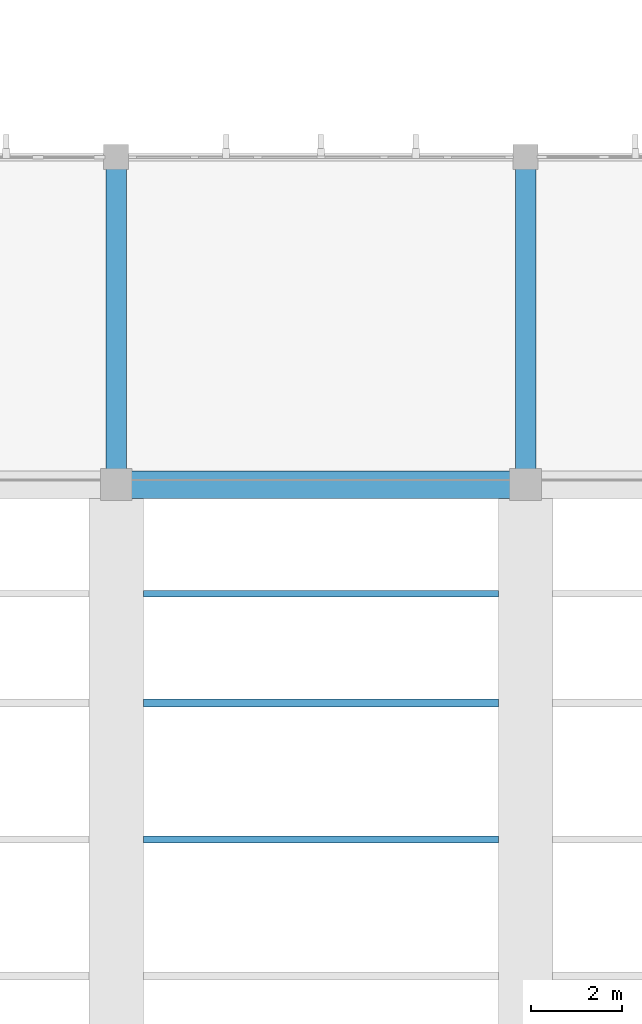
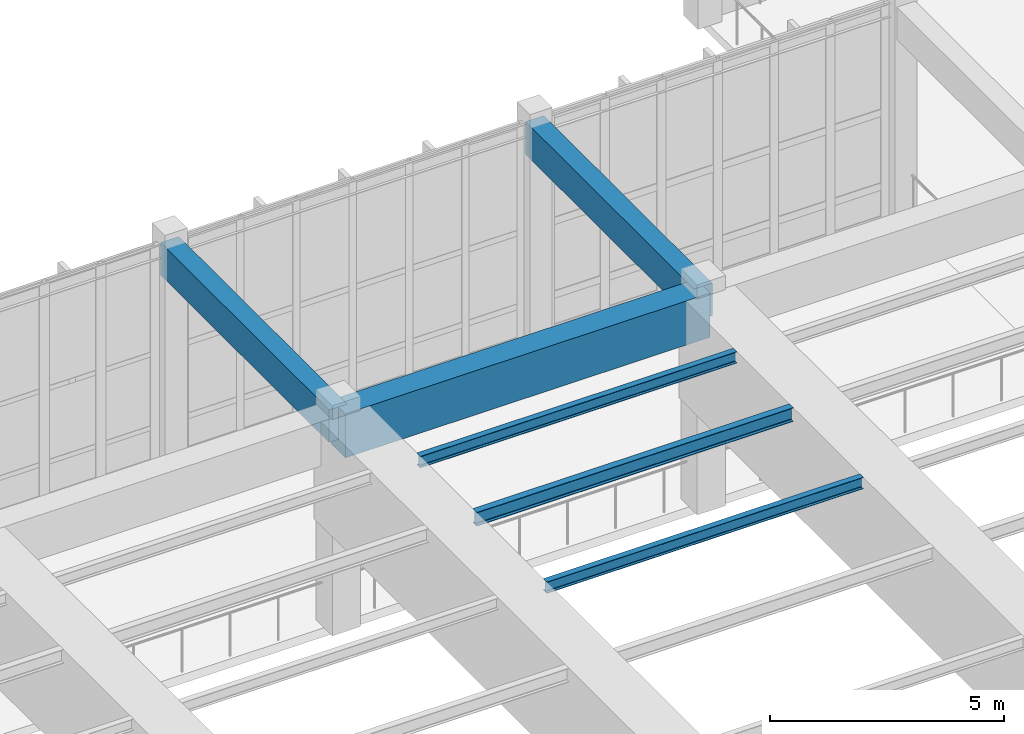
# One storey, part 41 of 105: 6 beams.
"""IFC4 building model written with IfcOpenShell, lengths in metres."""

from ifc_helpers import new_model, si_unit, direction, frame, origin, origin_2d, place, context, subcontext, project, spatial, rectangle, i_section, extrude, material, material_profile, profile_set, type_object, element, save


model = new_model("IFC4")

# Units and contexts
model_context = context("Model", 3, precision=1e-05, world=origin(), true_north=direction((0.0, 1.0)))
body_context = subcontext(model_context, "Body", "Model", "MODEL_VIEW")
ifc_project = project(units=[si_unit("LENGTHUNIT", "METRE"), si_unit("AREAUNIT", "SQUARE_METRE"), si_unit("VOLUMEUNIT", "CUBIC_METRE"), si_unit("PLANEANGLEUNIT", "RADIAN"), si_unit("MASSUNIT", "GRAM", prefix="KILO")], contexts=[model_context])

# Site, building, storey
site_placement = place(None, origin())
site = spatial("IfcSite", under=ifc_project, at=site_placement, CompositionType="ELEMENT")
building_placement = place(site_placement, origin())
building = spatial("IfcBuilding", under=site, at=building_placement, Name="Tizgana Railside Sports Hall", CompositionType="ELEMENT")
storey_placement = place(building_placement, frame((0.0, 0.0, 6.0)))
storey = spatial("IfcBuildingStorey", under=building, at=storey_placement, Name="L01", CompositionType="ELEMENT", Elevation=6.0)

# Beams
ifc_material_1 = material(Name="Concrete C40/50", Category="concrete")
ifc_material_profile_1 = material_profile(ifc_material_1, rectangle(XDim=0.449951171875, YDim=0.85009765625, at=origin_2d()), Name="RCB 450x850")
ifc_profile_set_1 = profile_set([ifc_material_profile_1], Name="Concrete C40/50")
beam_type_1 = type_object("IfcBeamType", Name="Concrete Beam RCB 450x850", PredefinedType="BEAM", material=ifc_profile_set_1)
for number, where, z_axis, x_axis, name in (
    (1, (115.800048828125, 73.199951171875, 5.2109375), (0.0, 1.0, 0.0), (-1.0, 0.0, 0.0), "L01 BEM-0256"),
    (2, (124.800048828125, 73.199951171875, 5.2109375), (0.0, 1.0, 0.0), (-1.0, 0.0, 0.0), "L01 BEM-0258"),
):
    element("IfcBeam", number, at=place(storey_placement, frame(where, z_axis=z_axis, x_axis=x_axis)), inside=storey, type_object=beam_type_1, Name=name, PredefinedType="BEAM", context=body_context, shape_type="SweptSolid", body=[
        extrude(rectangle(XDim=0.449951171875, YDim=0.85009765625, at=origin_2d()), origin(), (0.0, 0.0, 1.0), 7.199951171875),
    ])
ifc_material_profile_2 = material_profile(ifc_material_1, rectangle(XDim=0.60009765625, YDim=1.14990234375, at=origin_2d()), Name="RCB 600x1150")
ifc_profile_set_2 = profile_set([ifc_material_profile_2], Name="Concrete C40/50")
beam_type_2 = type_object("IfcBeamType", Name="Concrete Beam RCB 600x1150", PredefinedType="BEAM", material=ifc_profile_set_2)
beam_1_placement = place(storey_placement, frame((115.800048828125, 73.199951171875, 5.06103515625), z_axis=(1.0, 0.0, 0.0), x_axis=(0.0, 1.0, 0.0)))
element("IfcBeam", 3, at=beam_1_placement, inside=storey, type_object=beam_type_2, Name="L01 BEM-0314", PredefinedType="BEAM", context=body_context, shape_type="SweptSolid", body=[
    extrude(rectangle(XDim=0.60009765625, YDim=1.14990234375, at=origin_2d()), origin(), (0.0, 0.0, 1.0), 9.0),
])
ifc_material_2 = material(Name="Steel S355J2", Category="steel")
ifc_material_profile_3 = material_profile(ifc_material_2, i_section(OverallWidth=0.14990234375, OverallDepth=0.300048828125, WebThickness=0.007080078125, FlangeThickness=0.0107421875, FilletRadius=0.014892578125, at=origin_2d()), Name="IPE 300")
ifc_profile_set_3 = profile_set([ifc_material_profile_3], Name="Steel S355J2")
beam_type_3 = type_object("IfcBeamType", Name="Steel Joist IPE 300", PredefinedType="JOIST", material=ifc_profile_set_3)
for number, where, z_axis, x_axis, name in (
    (4, (116.39501953125, 65.39990234375, 5.486083984375), (1.0, 0.0, 0.0), (0.0, 1.0, 0.0), "L01 BEM-0319"),
    (5, (116.39501953125, 70.800048828125, 5.486083984375), (1.0, 0.0, 0.0), (0.0, 1.0, 0.0), "L01 BEM-0320"),
):
    element("IfcBeam", number, at=place(storey_placement, frame(where, z_axis=z_axis, x_axis=x_axis)), inside=storey, type_object=beam_type_3, Name=name, PredefinedType="JOIST", context=body_context, shape_type="SweptSolid", body=[
        extrude(i_section(OverallWidth=0.14990234375, OverallDepth=0.300048828125, WebThickness=0.007080078125, FlangeThickness=0.0107421875, FilletRadius=0.014892578125, at=origin_2d()), origin(), (0.0, 0.0, 1.0), 7.81005859375),
    ])
ifc_material_profile_4 = material_profile(ifc_material_2, i_section(OverallWidth=0.169921875, OverallDepth=0.360107421875, WebThickness=0.008056640625, FlangeThickness=0.0126953125, FilletRadius=0.01806640625, at=origin_2d()), Name="IPE 360")
ifc_profile_set_4 = profile_set([ifc_material_profile_4], Name="Steel S355J2")
beam_type_4 = type_object("IfcBeamType", Name="Steel Joist IPE 360", PredefinedType="JOIST", material=ifc_profile_set_4)
beam_2_placement = place(storey_placement, frame((116.39501953125, 68.39990234375, 5.4560546875), z_axis=(1.0, 0.0, 0.0), x_axis=(0.0, 1.0, 0.0)))
element("IfcBeam", 6, at=beam_2_placement, inside=storey, type_object=beam_type_4, Name="L01 BEM-0313", PredefinedType="JOIST", context=body_context, shape_type="SweptSolid", body=[
    extrude(i_section(OverallWidth=0.169921875, OverallDepth=0.360107421875, WebThickness=0.008056640625, FlangeThickness=0.0126953125, FilletRadius=0.01806640625, at=origin_2d()), origin(), (0.0, 0.0, 1.0), 7.81005859375),
])

save(model, "model.ifc")
